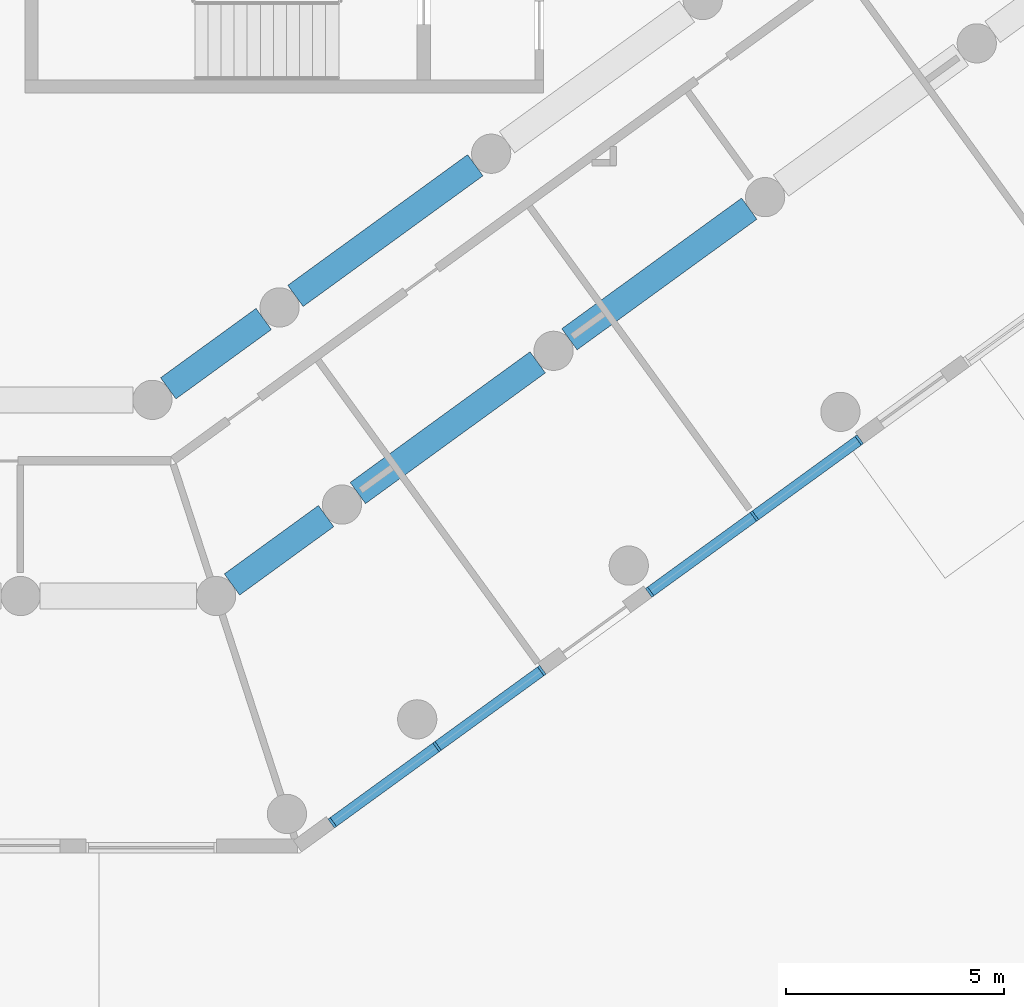
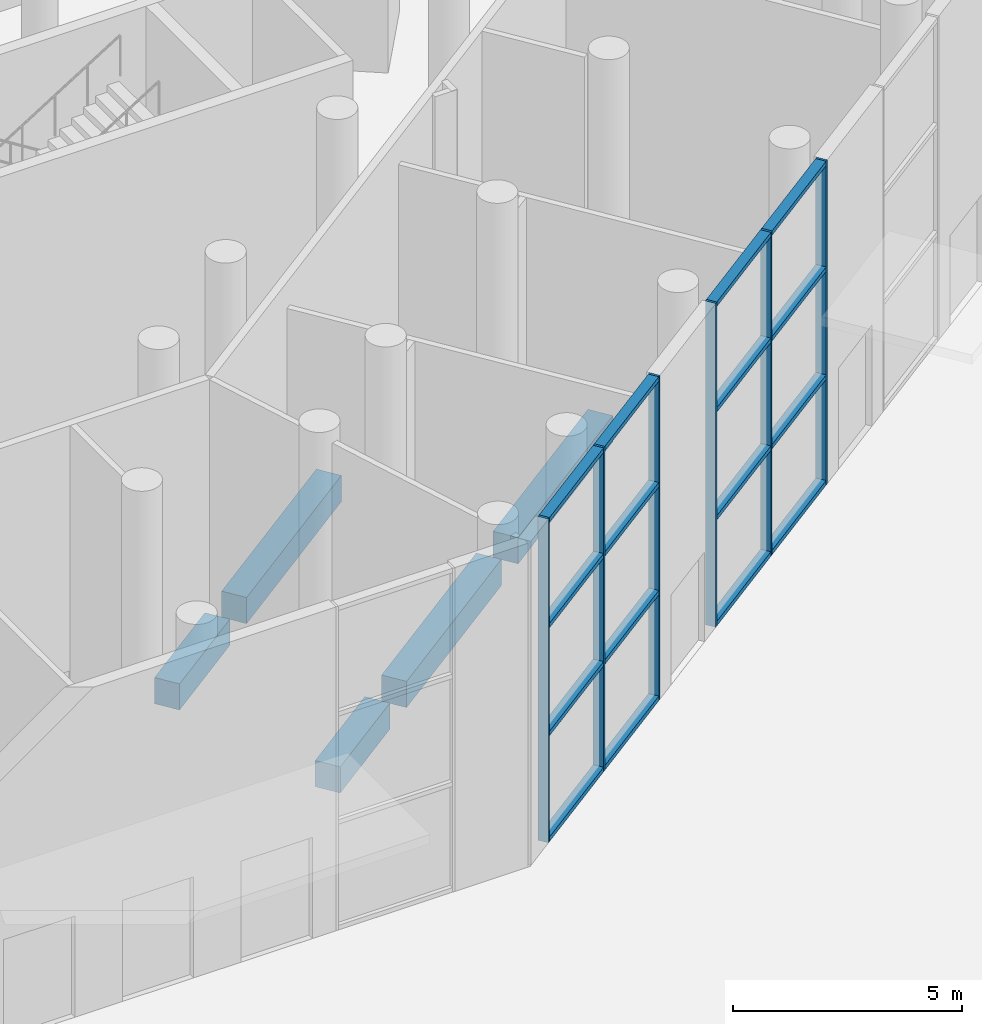
# One storey, part 3 of 25: 22 members, 5 beams, 2 elements without a shape of their own.
"""IFC4 building model written with IfcOpenShell, lengths in metres."""

from ifc_helpers import new_model, si_unit, direction, frame, origin, origin_2d, place, context, subcontext, project, spatial, rectangle, extrude, material, material_profile, profile_set, type_object, element, aggregate, save


model = new_model("IFC4")

# Units and contexts
model_context = context("Model", 3, precision=1e-05, world=origin(), true_north=direction((0.0, 1.0)))
body_context = subcontext(model_context, "Body", "Model", "MODEL_VIEW")
ifc_project = project(units=[si_unit("LENGTHUNIT", "METRE"), si_unit("AREAUNIT", "SQUARE_METRE"), si_unit("VOLUMEUNIT", "CUBIC_METRE"), si_unit("PLANEANGLEUNIT", "RADIAN"), si_unit("MASSUNIT", "GRAM", prefix="KILO")], contexts=[model_context])

# Site, building, storey
site_placement = place(None, origin())
site = spatial("IfcSite", under=ifc_project, at=site_placement, CompositionType="ELEMENT")
building_placement = place(site_placement, origin())
building = spatial("IfcBuilding", under=site, at=building_placement, Name="White Candle Pilgrim Tower", CompositionType="ELEMENT")
storey_placement = place(building_placement, origin())
storey = spatial("IfcBuildingStorey", under=building, at=storey_placement, Name="L00", CompositionType="ELEMENT", Elevation=0.0)

# Curtain wall, members
ifc_material_1 = material(Name="Aluminium and glass", Category="aluminium")
curtain_wall_type = type_object("IfcCurtainWallType", Name="Curtain wall CW1 hall glazing", PredefinedType="NOTDEFINED", material=ifc_material_1)
curtain_wall_1_placement = place(storey_placement, origin())
curtain_wall_1 = element("IfcCurtainWall", 1, at=curtain_wall_1_placement, inside=storey, type_object=curtain_wall_type, Name="Curtain wall CW1 L00 SE", PredefinedType="NOTDEFINED")
ifc_material_2 = material(Name="Aluminium", Category="aluminium")
ifc_material_profile_1 = material_profile(ifc_material_2, rectangle(XDim=0.25, YDim=0.06005859375, at=origin_2d()), Name="CW1 mullion 60x250")
ifc_profile_set_1 = profile_set([ifc_material_profile_1], Name="Aluminium")
member_type_1 = type_object("IfcMemberType", Name="CW1 mullion 60x250", PredefinedType="MULLION", material=ifc_profile_set_1)
member_1_placement = place(storey_placement, frame((80.1513671875, 24.559326171875, 0.0), z_axis=(0.0, 0.0, 1.0), x_axis=(-0.587785256867, 0.809016991051, 0.0)))
member_1 = element("IfcMember", 2, at=member_1_placement, type_object=member_type_1, Name="CW1 mullion 1", PredefinedType="MULLION", context=body_context, shape_type="SweptSolid", body=[
    extrude(rectangle(XDim=0.25, YDim=0.06005859375, at=origin_2d()), origin(), (0.0, 0.0, 1.0), 8.64990234375),
])
member_2_placement = place(storey_placement, frame((82.55419921875, 26.30517578125, 0.0), z_axis=(0.0, 0.0, 1.0), x_axis=(-0.587785256867, 0.809016991051, 0.0)))
member_2 = element("IfcMember", 3, at=member_2_placement, type_object=member_type_1, Name="CW1 mullion 2", PredefinedType="MULLION", context=body_context, shape_type="SweptSolid", body=[
    extrude(rectangle(XDim=0.25, YDim=0.06005859375, at=origin_2d()), origin(), (0.0, 0.0, 1.0), 8.64990234375),
])
member_3_placement = place(storey_placement, frame((84.95703125, 28.05078125, 0.0), z_axis=(0.0, 0.0, 1.0), x_axis=(-0.587785256867, 0.809016991051, 0.0)))
member_3 = element("IfcMember", 4, at=member_3_placement, type_object=member_type_1, Name="CW1 mullion 3", PredefinedType="MULLION", context=body_context, shape_type="SweptSolid", body=[
    extrude(rectangle(XDim=0.25, YDim=0.06005859375, at=origin_2d()), origin(), (0.0, 0.0, 1.0), 8.64990234375),
])

curtain_wall_2_placement = place(storey_placement, origin())
curtain_wall_2 = element("IfcCurtainWall", 5, at=curtain_wall_2_placement, inside=storey, type_object=curtain_wall_type, Name="Curtain wall CW1 L00 SE", PredefinedType="NOTDEFINED")
member_4_placement = place(storey_placement, frame((87.4326171875, 29.849365234375, 0.0), z_axis=(0.0, 0.0, 1.0), x_axis=(-0.587785256797, 0.809016991102, 0.0)))
member_4 = element("IfcMember", 6, at=member_4_placement, type_object=member_type_1, Name="CW1 mullion 1", PredefinedType="MULLION", context=body_context, shape_type="SweptSolid", body=[
    extrude(rectangle(XDim=0.25, YDim=0.06005859375, at=origin_2d()), origin(), (0.0, 0.0, 1.0), 8.64990234375),
])
member_5_placement = place(storey_placement, frame((89.835205078125, 31.59521484375, 0.0), z_axis=(0.0, 0.0, 1.0), x_axis=(-0.587785256797, 0.809016991102, 0.0)))
member_5 = element("IfcMember", 7, at=member_5_placement, type_object=member_type_1, Name="CW1 mullion 2", PredefinedType="MULLION", context=body_context, shape_type="SweptSolid", body=[
    extrude(rectangle(XDim=0.25, YDim=0.06005859375, at=origin_2d()), origin(), (0.0, 0.0, 1.0), 8.64990234375),
])
member_6_placement = place(storey_placement, frame((92.238037109375, 33.3408203125, 0.0), z_axis=(0.0, 0.0, 1.0), x_axis=(-0.587785256797, 0.809016991102, 0.0)))
member_6 = element("IfcMember", 8, at=member_6_placement, type_object=member_type_1, Name="CW1 mullion 3", PredefinedType="MULLION", context=body_context, shape_type="SweptSolid", body=[
    extrude(rectangle(XDim=0.25, YDim=0.06005859375, at=origin_2d()), origin(), (0.0, 0.0, 1.0), 8.64990234375),
])

# Member
ifc_material_profile_2 = material_profile(ifc_material_2, rectangle(XDim=0.25, YDim=0.1201171875, at=origin_2d()), Name="CW1 transom 120x250")
ifc_profile_set_2 = profile_set([ifc_material_profile_2], Name="Aluminium")
member_type_2 = type_object("IfcMemberType", Name="CW1 transom 120x250", PredefinedType="USERDEFINED", material=ifc_profile_set_2)
member_7_placement = place(storey_placement, frame((80.175537109375, 24.576904296875, 0.06005859375), z_axis=(0.809018973085, 0.587782528822, 0.0), x_axis=(-0.587782528822, 0.809018973085, 0.0)))
member_7 = element("IfcMember", 9, at=member_7_placement, type_object=member_type_2, Name="CW1 transom 1.1", ObjectType="TRANSOM", PredefinedType="USERDEFINED", context=body_context, shape_type="SweptSolid", body=[
    extrude(rectangle(XDim=0.25, YDim=0.1201171875, at=origin_2d()), origin(), (0.0, 0.0, 1.0), 2.909912109375),
])

member_8_placement = place(storey_placement, frame((80.175537109375, 24.576904296875, 2.88330078125), z_axis=(0.809018973085, 0.587782528822, 0.0), x_axis=(-0.587782528822, 0.809018973085, 0.0)))
member_8 = element("IfcMember", 10, at=member_8_placement, type_object=member_type_2, Name="CW1 transom 1.2", ObjectType="TRANSOM", PredefinedType="USERDEFINED", context=body_context, shape_type="SweptSolid", body=[
    extrude(rectangle(XDim=0.25, YDim=0.1201171875, at=origin_2d()), origin(), (0.0, 0.0, 1.0), 2.909912109375),
])

member_9_placement = place(storey_placement, frame((80.175537109375, 24.576904296875, 5.7666015625), z_axis=(0.809018973085, 0.587782528822, 0.0), x_axis=(-0.587782528822, 0.809018973085, 0.0)))
member_9 = element("IfcMember", 11, at=member_9_placement, type_object=member_type_2, Name="CW1 transom 1.3", ObjectType="TRANSOM", PredefinedType="USERDEFINED", context=body_context, shape_type="SweptSolid", body=[
    extrude(rectangle(XDim=0.25, YDim=0.1201171875, at=origin_2d()), origin(), (0.0, 0.0, 1.0), 2.909912109375),
])

member_10_placement = place(storey_placement, frame((80.175537109375, 24.576904296875, 8.590087890625), z_axis=(0.809018973085, 0.587782528822, 0.0), x_axis=(-0.587782528822, 0.809018973085, 0.0)))
member_10 = element("IfcMember", 12, at=member_10_placement, type_object=member_type_2, Name="CW1 transom 1.4", ObjectType="TRANSOM", PredefinedType="USERDEFINED", context=body_context, shape_type="SweptSolid", body=[
    extrude(rectangle(XDim=0.25, YDim=0.1201171875, at=origin_2d()), origin(), (0.0, 0.0, 1.0), 2.909912109375),
])

member_11_placement = place(storey_placement, frame((82.578369140625, 26.32275390625, 0.06005859375), z_axis=(0.809018973085, 0.587782528822, 0.0), x_axis=(-0.587782528822, 0.809018973085, 0.0)))
member_11 = element("IfcMember", 13, at=member_11_placement, type_object=member_type_2, Name="CW1 transom 2.1", ObjectType="TRANSOM", PredefinedType="USERDEFINED", context=body_context, shape_type="SweptSolid", body=[
    extrude(rectangle(XDim=0.25, YDim=0.1201171875, at=origin_2d()), origin(), (0.0, 0.0, 1.0), 2.909912109375),
])

member_12_placement = place(storey_placement, frame((82.578369140625, 26.32275390625, 2.88330078125), z_axis=(0.809018973085, 0.587782528822, 0.0), x_axis=(-0.587782528822, 0.809018973085, 0.0)))
member_12 = element("IfcMember", 14, at=member_12_placement, type_object=member_type_2, Name="CW1 transom 2.2", ObjectType="TRANSOM", PredefinedType="USERDEFINED", context=body_context, shape_type="SweptSolid", body=[
    extrude(rectangle(XDim=0.25, YDim=0.1201171875, at=origin_2d()), origin(), (0.0, 0.0, 1.0), 2.909912109375),
])

member_13_placement = place(storey_placement, frame((82.578369140625, 26.32275390625, 5.7666015625), z_axis=(0.809018973085, 0.587782528822, 0.0), x_axis=(-0.587782528822, 0.809018973085, 0.0)))
member_13 = element("IfcMember", 15, at=member_13_placement, type_object=member_type_2, Name="CW1 transom 2.3", ObjectType="TRANSOM", PredefinedType="USERDEFINED", context=body_context, shape_type="SweptSolid", body=[
    extrude(rectangle(XDim=0.25, YDim=0.1201171875, at=origin_2d()), origin(), (0.0, 0.0, 1.0), 2.909912109375),
])

member_14_placement = place(storey_placement, frame((82.578369140625, 26.32275390625, 8.590087890625), z_axis=(0.809018973085, 0.587782528822, 0.0), x_axis=(-0.587782528822, 0.809018973085, 0.0)))
member_14 = element("IfcMember", 16, at=member_14_placement, type_object=member_type_2, Name="CW1 transom 2.4", ObjectType="TRANSOM", PredefinedType="USERDEFINED", context=body_context, shape_type="SweptSolid", body=[
    extrude(rectangle(XDim=0.25, YDim=0.1201171875, at=origin_2d()), origin(), (0.0, 0.0, 1.0), 2.909912109375),
])

aggregate(curtain_wall_1, [member_1, member_2, member_3, member_7, member_8, member_9, member_10, member_11, member_12, member_13, member_14])

member_15_placement = place(storey_placement, frame((87.456787109375, 29.866943359375, 0.06005859375), z_axis=(0.809018973085, 0.587782528822, 0.0), x_axis=(-0.587782528822, 0.809018973085, 0.0)))
member_15 = element("IfcMember", 17, at=member_15_placement, type_object=member_type_2, Name="CW1 transom 1.1", ObjectType="TRANSOM", PredefinedType="USERDEFINED", context=body_context, shape_type="SweptSolid", body=[
    extrude(rectangle(XDim=0.25, YDim=0.1201171875, at=origin_2d()), origin(), (0.0, 0.0, 1.0), 2.909912109375),
])

member_16_placement = place(storey_placement, frame((87.456787109375, 29.866943359375, 2.88330078125), z_axis=(0.809018973085, 0.587782528822, 0.0), x_axis=(-0.587782528822, 0.809018973085, 0.0)))
member_16 = element("IfcMember", 18, at=member_16_placement, type_object=member_type_2, Name="CW1 transom 1.2", ObjectType="TRANSOM", PredefinedType="USERDEFINED", context=body_context, shape_type="SweptSolid", body=[
    extrude(rectangle(XDim=0.25, YDim=0.1201171875, at=origin_2d()), origin(), (0.0, 0.0, 1.0), 2.909912109375),
])

member_17_placement = place(storey_placement, frame((87.456787109375, 29.866943359375, 5.7666015625), z_axis=(0.809018973085, 0.587782528822, 0.0), x_axis=(-0.587782528822, 0.809018973085, 0.0)))
member_17 = element("IfcMember", 19, at=member_17_placement, type_object=member_type_2, Name="CW1 transom 1.3", ObjectType="TRANSOM", PredefinedType="USERDEFINED", context=body_context, shape_type="SweptSolid", body=[
    extrude(rectangle(XDim=0.25, YDim=0.1201171875, at=origin_2d()), origin(), (0.0, 0.0, 1.0), 2.909912109375),
])

member_18_placement = place(storey_placement, frame((87.456787109375, 29.866943359375, 8.590087890625), z_axis=(0.809018973085, 0.587782528822, 0.0), x_axis=(-0.587782528822, 0.809018973085, 0.0)))
member_18 = element("IfcMember", 20, at=member_18_placement, type_object=member_type_2, Name="CW1 transom 1.4", ObjectType="TRANSOM", PredefinedType="USERDEFINED", context=body_context, shape_type="SweptSolid", body=[
    extrude(rectangle(XDim=0.25, YDim=0.1201171875, at=origin_2d()), origin(), (0.0, 0.0, 1.0), 2.909912109375),
])

member_19_placement = place(storey_placement, frame((89.859619140625, 31.61279296875, 0.06005859375), z_axis=(0.809018973085, 0.587782528822, 0.0), x_axis=(-0.587782528822, 0.809018973085, 0.0)))
member_19 = element("IfcMember", 21, at=member_19_placement, type_object=member_type_2, Name="CW1 transom 2.1", ObjectType="TRANSOM", PredefinedType="USERDEFINED", context=body_context, shape_type="SweptSolid", body=[
    extrude(rectangle(XDim=0.25, YDim=0.1201171875, at=origin_2d()), origin(), (0.0, 0.0, 1.0), 2.909912109375),
])

member_20_placement = place(storey_placement, frame((89.859619140625, 31.61279296875, 2.88330078125), z_axis=(0.809018973085, 0.587782528822, 0.0), x_axis=(-0.587782528822, 0.809018973085, 0.0)))
member_20 = element("IfcMember", 22, at=member_20_placement, type_object=member_type_2, Name="CW1 transom 2.2", ObjectType="TRANSOM", PredefinedType="USERDEFINED", context=body_context, shape_type="SweptSolid", body=[
    extrude(rectangle(XDim=0.25, YDim=0.1201171875, at=origin_2d()), origin(), (0.0, 0.0, 1.0), 2.909912109375),
])

member_21_placement = place(storey_placement, frame((89.859619140625, 31.61279296875, 5.7666015625), z_axis=(0.809018973085, 0.587782528822, 0.0), x_axis=(-0.587782528822, 0.809018973085, 0.0)))
member_21 = element("IfcMember", 23, at=member_21_placement, type_object=member_type_2, Name="CW1 transom 2.3", ObjectType="TRANSOM", PredefinedType="USERDEFINED", context=body_context, shape_type="SweptSolid", body=[
    extrude(rectangle(XDim=0.25, YDim=0.1201171875, at=origin_2d()), origin(), (0.0, 0.0, 1.0), 2.909912109375),
])

member_22_placement = place(storey_placement, frame((89.859619140625, 31.61279296875, 8.590087890625), z_axis=(0.809018973085, 0.587782528822, 0.0), x_axis=(-0.587782528822, 0.809018973085, 0.0)))
member_22 = element("IfcMember", 24, at=member_22_placement, type_object=member_type_2, Name="CW1 transom 2.4", ObjectType="TRANSOM", PredefinedType="USERDEFINED", context=body_context, shape_type="SweptSolid", body=[
    extrude(rectangle(XDim=0.25, YDim=0.1201171875, at=origin_2d()), origin(), (0.0, 0.0, 1.0), 2.909912109375),
])

aggregate(curtain_wall_2, [member_4, member_5, member_6, member_15, member_16, member_17, member_18, member_19, member_20, member_21, member_22])

# Beams
ifc_material_3 = material(Name="Concrete C50/60", Category="concrete")
ifc_material_profile_3 = material_profile(ifc_material_3, rectangle(XDim=0.60009765625, YDim=0.699951171875, at=origin_2d()), Name="RC-BM 600x700")
ifc_profile_set_3 = profile_set([ifc_material_profile_3], Name="Concrete C50/60")
beam_type = type_object("IfcBeamType", Name="Spandrel beam RC-BM 600x700 C50/60", PredefinedType="BEAM", material=ifc_profile_set_3)
beam_1_placement = place(storey_placement, frame((77.849853515625, 30.025390625, -0.800048828125), z_axis=(0.808985185051, 0.58782903158, 0.0), x_axis=(-0.58782903158, 0.808985185051, 0.0)))
element("IfcBeam", 25, at=beam_1_placement, inside=storey, type_object=beam_type, Name="L00 spandrel beam B11", PredefinedType="BEAM", context=body_context, shape_type="SweptSolid", body=[
    extrude(rectangle(XDim=0.60009765625, YDim=0.699951171875, at=origin_2d()), origin(), (0.0, 0.0, 1.0), 2.669189453125),
])
beam_2_placement = place(storey_placement, frame((80.73681640625, 32.123291015625, -0.800048828125), z_axis=(0.808978190317, 0.587838657789, 0.0), x_axis=(-0.587838657789, 0.808978190317, 0.0)))
element("IfcBeam", 26, at=beam_2_placement, inside=storey, type_object=beam_type, Name="L00 spandrel beam B12", PredefinedType="BEAM", context=body_context, shape_type="SweptSolid", body=[
    extrude(rectangle(XDim=0.60009765625, YDim=0.699951171875, at=origin_2d()), origin(), (0.0, 0.0, 1.0), 5.1005859375),
])
beam_3_placement = place(storey_placement, frame((85.5908203125, 35.650390625, -0.800048828125), z_axis=(0.809069240735, 0.587713334625, 0.0), x_axis=(-0.587713334625, 0.809069240735, 0.0)))
element("IfcBeam", 27, at=beam_3_placement, inside=storey, type_object=beam_type, Name="L00 spandrel beam B13", PredefinedType="BEAM", context=body_context, shape_type="SweptSolid", body=[
    extrude(rectangle(XDim=0.60009765625, YDim=0.699951171875, at=origin_2d()), origin(), (0.0, 0.0, 1.0), 5.099853515625),
])
beam_4_placement = place(storey_placement, frame((76.387939453125, 34.525390625, -0.800048828125), z_axis=(0.809008975915, 0.587796288598, 0.0), x_axis=(-0.587796288598, 0.809008975915, 0.0)))
element("IfcBeam", 28, at=beam_4_placement, inside=storey, type_object=beam_type, Name="L00 spandrel beam C09", PredefinedType="BEAM", context=body_context, shape_type="SweptSolid", body=[
    extrude(rectangle(XDim=0.60009765625, YDim=0.699951171875, at=origin_2d()), origin(), (0.0, 0.0, 1.0), 2.707275390625),
])
beam_5_placement = place(storey_placement, frame((79.305908203125, 36.6455078125, -0.800048828125), z_axis=(0.80900095282, 0.587807330965, 0.0), x_axis=(-0.587807330965, 0.80900095282, 0.0)))
element("IfcBeam", 29, at=beam_5_placement, inside=storey, type_object=beam_type, Name="L00 spandrel beam C10", PredefinedType="BEAM", context=body_context, shape_type="SweptSolid", body=[
    extrude(rectangle(XDim=0.60009765625, YDim=0.699951171875, at=origin_2d()), origin(), (0.0, 0.0, 1.0), 5.100341796875),
])

save(model, "model.ifc")
